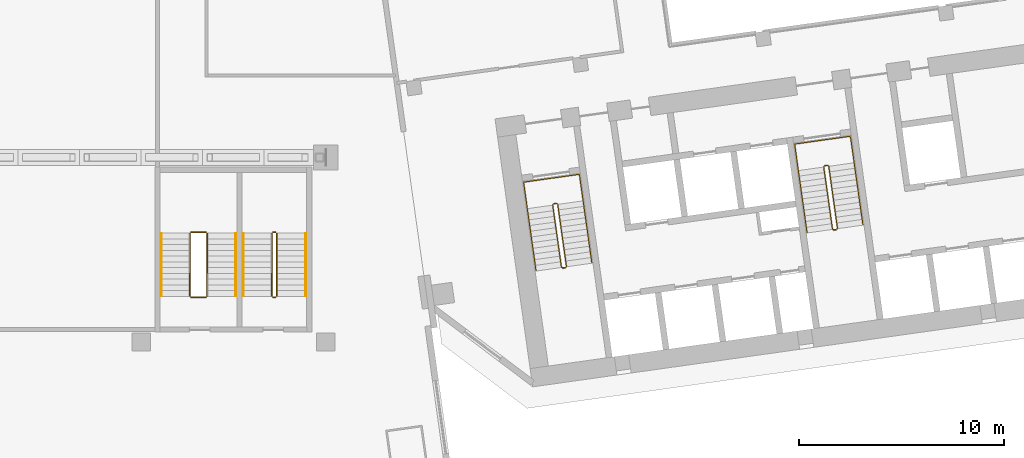
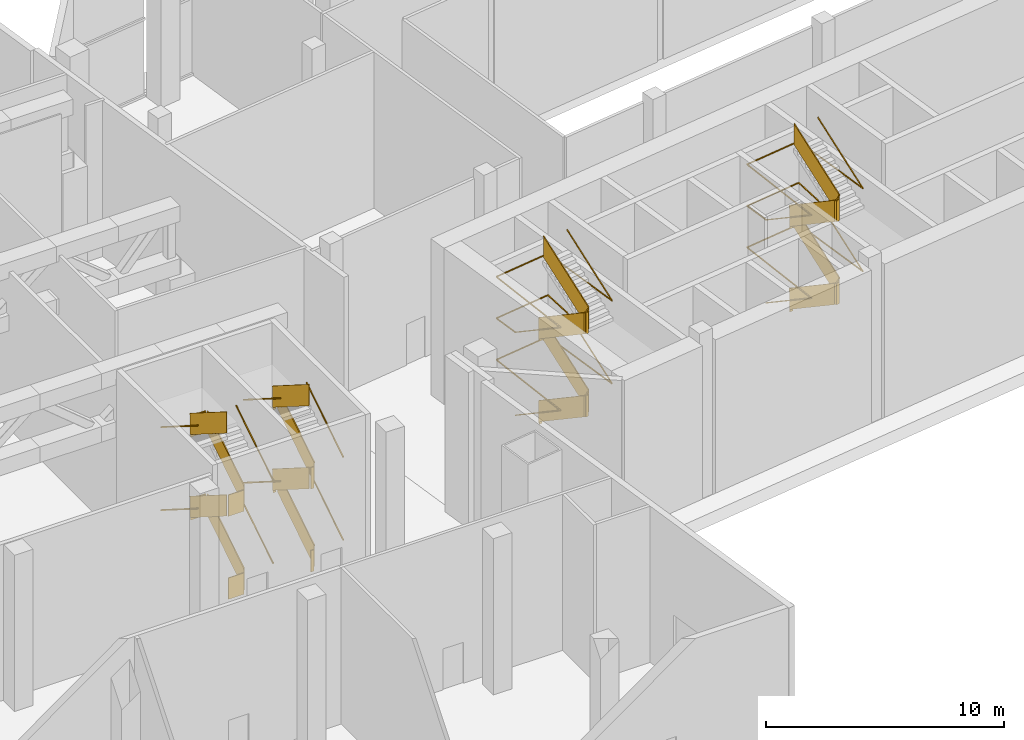
# One storey, part 30 of 31: 28 railings.
"""IFC4 building model written with IfcOpenShell, lengths in metres."""

from ifc_helpers import new_model, si_unit, direction, frame, origin, origin_2d, place, context, subcontext, project, spatial, rectangle, extrude, material, type_object, element, save


model = new_model("IFC4")

# Units and contexts
model_context = context("Model", 3, precision=1e-05, world=origin(), true_north=direction((0.0, 1.0)))
body_context = subcontext(model_context, "Body", "Model", "MODEL_VIEW")
ifc_project = project(units=[si_unit("LENGTHUNIT", "METRE"), si_unit("AREAUNIT", "SQUARE_METRE"), si_unit("VOLUMEUNIT", "CUBIC_METRE"), si_unit("PLANEANGLEUNIT", "RADIAN"), si_unit("MASSUNIT", "GRAM", prefix="KILO")], contexts=[model_context])

# Site, building, storey
site_placement = place(None, origin())
site = spatial("IfcSite", under=ifc_project, at=site_placement, CompositionType="ELEMENT")
building_placement = place(site_placement, origin())
building = spatial("IfcBuilding", under=site, at=building_placement, Name="Mirante Cascada Hotel Towers", CompositionType="ELEMENT")
storey_placement = place(building_placement, frame((0.0, 0.0, 9.0)))
storey = spatial("IfcBuildingStorey", under=building, at=storey_placement, Name="L01", CompositionType="ELEMENT", Elevation=9.0)

# Railings
ifc_material_1 = material(Name="Painted steel", Category="steel")
railing_type_1 = type_object("IfcRailingType", Name="Podium stair guard 1100 steel balustrade", PredefinedType="GUARDRAIL", material=ifc_material_1)
railing_1_placement = place(storey_placement, frame((24.625, -15.775, 0.1771)))
element("IfcRailing", 1, at=railing_1_placement, inside=storey, type_object=railing_type_1, Name="L01 PS2 stair guard 1", PredefinedType="GUARDRAIL", context=body_context, shape_type="SweptSolid", body=[
    extrude(rectangle(XDim=0.048, YDim=0.048, at=origin_2d()), frame((0.0, 0.0, 1.076), z_axis=(0.0, 1.0, 0.0), x_axis=(-1.0, 0.0, 0.0)), (0.0, 0.5345101, 0.8451621), 3.6443),
    extrude(rectangle(XDim=0.02, YDim=1.052, at=origin_2d()), frame((0.0, 0.0, 0.526), z_axis=(0.0, 1.0, 0.0), x_axis=(-1.0, 0.0, 0.0)), (0.0, 0.5345101, 0.8451621), 3.6443),
])
railing_2_placement = place(storey_placement, frame((24.575, -12.645, 2.125)))
element("IfcRailing", 2, at=railing_2_placement, inside=storey, type_object=railing_type_1, Name="L01 PS2 stair guard 2", PredefinedType="GUARDRAIL", context=body_context, shape_type="SweptSolid", body=[
    extrude(rectangle(XDim=0.048, YDim=0.048, at=origin_2d()), frame((0.0, 0.0, 1.076), z_axis=(-1.0, 0.0, 0.0), x_axis=(0.0, -1.0, 0.0)), (0.0, 0.0, 1.0), 0.15),
    extrude(rectangle(XDim=0.02, YDim=1.052, at=origin_2d()), frame((0.0, 0.0, 0.526), z_axis=(-1.0, 0.0, 0.0), x_axis=(0.0, -1.0, 0.0)), (0.0, 0.0, 1.0), 0.15),
])
railing_3_placement = place(storey_placement, frame((24.375, -12.695, 2.3021)))
element("IfcRailing", 3, at=railing_3_placement, inside=storey, type_object=railing_type_1, Name="L01 PS2 stair guard 3", PredefinedType="GUARDRAIL", context=body_context, shape_type="SweptSolid", body=[
    extrude(rectangle(XDim=0.048, YDim=0.048, at=origin_2d()), frame((0.0, 0.0, 1.076), z_axis=(0.0, -1.0, 0.0), x_axis=(1.0, 0.0, 0.0)), (0.0, 0.5345101, 0.8451621), 3.6443),
    extrude(rectangle(XDim=0.02, YDim=1.052, at=origin_2d()), frame((0.0, 0.0, 0.526), z_axis=(0.0, -1.0, 0.0), x_axis=(1.0, 0.0, 0.0)), (0.0, 0.5345101, 0.8451621), 3.6443),
])
railing_4_placement = place(storey_placement, frame((24.575, -15.825, 4.25)))
element("IfcRailing", 4, at=railing_4_placement, inside=storey, type_object=railing_type_1, Name="L01 PS2 stair guard 4", PredefinedType="GUARDRAIL", context=body_context, shape_type="SweptSolid", body=[
    extrude(rectangle(XDim=0.048, YDim=0.048, at=origin_2d()), frame((0.0, 0.0, 1.076), z_axis=(-1.0, 0.0, 0.0), x_axis=(0.0, -1.0, 0.0)), (0.0, 0.0, 1.0), 0.15),
    extrude(rectangle(XDim=0.02, YDim=1.052, at=origin_2d()), frame((0.0, 0.0, 0.526), z_axis=(-1.0, 0.0, 0.0), x_axis=(0.0, -1.0, 0.0)), (0.0, 0.0, 1.0), 0.15),
])
railing_5_placement = place(storey_placement, frame((24.625, -15.775, 4.4271)))
element("IfcRailing", 5, at=railing_5_placement, inside=storey, type_object=railing_type_1, Name="L01 PS2 stair guard 5", PredefinedType="GUARDRAIL", context=body_context, shape_type="SweptSolid", body=[
    extrude(rectangle(XDim=0.048, YDim=0.048, at=origin_2d()), frame((0.0, 0.0, 1.076), z_axis=(0.0, 1.0, 0.0), x_axis=(-1.0, 0.0, 0.0)), (0.0, 0.5345101, 0.8451621), 3.6443),
    extrude(rectangle(XDim=0.02, YDim=1.052, at=origin_2d()), frame((0.0, 0.0, 0.526), z_axis=(0.0, 1.0, 0.0), x_axis=(-1.0, 0.0, 0.0)), (0.0, 0.5345101, 0.8451621), 3.6443),
])
railing_6_placement = place(storey_placement, frame((24.575, -12.645, 6.375)))
element("IfcRailing", 6, at=railing_6_placement, inside=storey, type_object=railing_type_1, Name="L01 PS2 stair guard 6", PredefinedType="GUARDRAIL", context=body_context, shape_type="SweptSolid", body=[
    extrude(rectangle(XDim=0.048, YDim=0.048, at=origin_2d()), frame((0.0, 0.0, 1.076), z_axis=(-1.0, 0.0, 0.0), x_axis=(0.0, -1.0, 0.0)), (0.0, 0.0, 1.0), 0.15),
    extrude(rectangle(XDim=0.02, YDim=1.052, at=origin_2d()), frame((0.0, 0.0, 0.526), z_axis=(-1.0, 0.0, 0.0), x_axis=(0.0, -1.0, 0.0)), (0.0, 0.0, 1.0), 0.15),
])
railing_7_placement = place(storey_placement, frame((24.375, -12.695, 6.5521)))
element("IfcRailing", 7, at=railing_7_placement, inside=storey, type_object=railing_type_1, Name="L01 PS2 stair guard 7", PredefinedType="GUARDRAIL", context=body_context, shape_type="SweptSolid", body=[
    extrude(rectangle(XDim=0.048, YDim=0.048, at=origin_2d()), frame((0.0, 0.0, 1.076), z_axis=(0.0, -1.0, 0.0), x_axis=(1.0, 0.0, 0.0)), (0.0, 0.5345101, 0.8451621), 3.6443),
    extrude(rectangle(XDim=0.02, YDim=1.052, at=origin_2d()), frame((0.0, 0.0, 0.526), z_axis=(0.0, -1.0, 0.0), x_axis=(1.0, 0.0, 0.0)), (0.0, 0.5345101, 0.8451621), 3.6443),
])
railing_8_placement = place(storey_placement, frame((24.575, -15.825, 0.0)))
element("IfcRailing", 8, at=railing_8_placement, inside=storey, type_object=railing_type_1, Name="L01 PS2 stair guard 8", PredefinedType="GUARDRAIL", context=body_context, shape_type="SweptSolid", body=[
    extrude(rectangle(XDim=0.048, YDim=0.048, at=origin_2d()), frame((0.0, 0.0, 1.076), z_axis=(-1.0, 0.0, 0.0), x_axis=(0.0, -1.0, 0.0)), (0.0, 0.0, 1.0), 0.15),
    extrude(rectangle(XDim=0.02, YDim=1.052, at=origin_2d()), frame((0.0, 0.0, 0.526), z_axis=(-1.0, 0.0, 0.0), x_axis=(0.0, -1.0, 0.0)), (0.0, 0.0, 1.0), 0.15),
])
railing_9_placement = place(storey_placement, frame((21.225, -15.775, 0.1771)))
element("IfcRailing", 9, at=railing_9_placement, inside=storey, type_object=railing_type_1, Name="L01 PS4 stair guard 1", PredefinedType="GUARDRAIL", context=body_context, shape_type="SweptSolid", body=[
    extrude(rectangle(XDim=0.048, YDim=0.048, at=origin_2d()), frame((0.0, 0.0, 1.076), z_axis=(0.0, 1.0, 0.0), x_axis=(-1.0, 0.0, 0.0)), (0.0, 0.5345101, 0.8451621), 3.6443),
    extrude(rectangle(XDim=0.02, YDim=1.052, at=origin_2d()), frame((0.0, 0.0, 0.526), z_axis=(0.0, 1.0, 0.0), x_axis=(-1.0, 0.0, 0.0)), (0.0, 0.5345101, 0.8451621), 3.6443),
])
railing_10_placement = place(storey_placement, frame((21.175, -12.645, 2.125)))
element("IfcRailing", 10, at=railing_10_placement, inside=storey, type_object=railing_type_1, Name="L01 PS4 stair guard 2", PredefinedType="GUARDRAIL", context=body_context, shape_type="SweptSolid", body=[
    extrude(rectangle(XDim=0.048, YDim=0.048, at=origin_2d()), frame((0.0, 0.0, 1.076), z_axis=(-1.0, 0.0, 0.0), x_axis=(0.0, -1.0, 0.0)), (0.0, 0.0, 1.0), 0.75),
    extrude(rectangle(XDim=0.02, YDim=1.052, at=origin_2d()), frame((0.0, 0.0, 0.526), z_axis=(-1.0, 0.0, 0.0), x_axis=(0.0, -1.0, 0.0)), (0.0, 0.0, 1.0), 0.75),
])
railing_11_placement = place(storey_placement, frame((20.375, -12.695, 2.3021)))
element("IfcRailing", 11, at=railing_11_placement, inside=storey, type_object=railing_type_1, Name="L01 PS4 stair guard 3", PredefinedType="GUARDRAIL", context=body_context, shape_type="SweptSolid", body=[
    extrude(rectangle(XDim=0.048, YDim=0.048, at=origin_2d()), frame((0.0, 0.0, 1.076), z_axis=(0.0, -1.0, 0.0), x_axis=(1.0, 0.0, 0.0)), (0.0, 0.5345101, 0.8451621), 3.6443),
    extrude(rectangle(XDim=0.02, YDim=1.052, at=origin_2d()), frame((0.0, 0.0, 0.526), z_axis=(0.0, -1.0, 0.0), x_axis=(1.0, 0.0, 0.0)), (0.0, 0.5345101, 0.8451621), 3.6443),
])
railing_12_placement = place(storey_placement, frame((21.175, -15.825, 4.25)))
element("IfcRailing", 12, at=railing_12_placement, inside=storey, type_object=railing_type_1, Name="L01 PS4 stair guard 4", PredefinedType="GUARDRAIL", context=body_context, shape_type="SweptSolid", body=[
    extrude(rectangle(XDim=0.048, YDim=0.048, at=origin_2d()), frame((0.0, 0.0, 1.076), z_axis=(-1.0, 0.0, 0.0), x_axis=(0.0, -1.0, 0.0)), (0.0, 0.0, 1.0), 0.75),
    extrude(rectangle(XDim=0.02, YDim=1.052, at=origin_2d()), frame((0.0, 0.0, 0.526), z_axis=(-1.0, 0.0, 0.0), x_axis=(0.0, -1.0, 0.0)), (0.0, 0.0, 1.0), 0.75),
])
railing_13_placement = place(storey_placement, frame((21.225, -15.775, 4.4271)))
element("IfcRailing", 13, at=railing_13_placement, inside=storey, type_object=railing_type_1, Name="L01 PS4 stair guard 5", PredefinedType="GUARDRAIL", context=body_context, shape_type="SweptSolid", body=[
    extrude(rectangle(XDim=0.048, YDim=0.048, at=origin_2d()), frame((0.0, 0.0, 1.076), z_axis=(0.0, 1.0, 0.0), x_axis=(-1.0, 0.0, 0.0)), (0.0, 0.5345101, 0.8451621), 3.6443),
    extrude(rectangle(XDim=0.02, YDim=1.052, at=origin_2d()), frame((0.0, 0.0, 0.526), z_axis=(0.0, 1.0, 0.0), x_axis=(-1.0, 0.0, 0.0)), (0.0, 0.5345101, 0.8451621), 3.6443),
])
railing_14_placement = place(storey_placement, frame((21.175, -12.645, 6.375)))
element("IfcRailing", 14, at=railing_14_placement, inside=storey, type_object=railing_type_1, Name="L01 PS4 stair guard 6", PredefinedType="GUARDRAIL", context=body_context, shape_type="SweptSolid", body=[
    extrude(rectangle(XDim=0.048, YDim=0.048, at=origin_2d()), frame((0.0, 0.0, 1.076), z_axis=(-1.0, 0.0, 0.0), x_axis=(0.0, -1.0, 0.0)), (0.0, 0.0, 1.0), 0.75),
    extrude(rectangle(XDim=0.02, YDim=1.052, at=origin_2d()), frame((0.0, 0.0, 0.526), z_axis=(-1.0, 0.0, 0.0), x_axis=(0.0, -1.0, 0.0)), (0.0, 0.0, 1.0), 0.75),
])
railing_15_placement = place(storey_placement, frame((20.375, -12.695, 6.5521)))
element("IfcRailing", 15, at=railing_15_placement, inside=storey, type_object=railing_type_1, Name="L01 PS4 stair guard 7", PredefinedType="GUARDRAIL", context=body_context, shape_type="SweptSolid", body=[
    extrude(rectangle(XDim=0.048, YDim=0.048, at=origin_2d()), frame((0.0, 0.0, 1.076), z_axis=(0.0, -1.0, 0.0), x_axis=(1.0, 0.0, 0.0)), (0.0, 0.5345101, 0.8451621), 3.6443),
    extrude(rectangle(XDim=0.02, YDim=1.052, at=origin_2d()), frame((0.0, 0.0, 0.526), z_axis=(0.0, -1.0, 0.0), x_axis=(1.0, 0.0, 0.0)), (0.0, 0.5345101, 0.8451621), 3.6443),
])
railing_16_placement = place(storey_placement, frame((21.175, -15.825, 0.0)))
element("IfcRailing", 16, at=railing_16_placement, inside=storey, type_object=railing_type_1, Name="L01 PS4 stair guard 8", PredefinedType="GUARDRAIL", context=body_context, shape_type="SweptSolid", body=[
    extrude(rectangle(XDim=0.048, YDim=0.048, at=origin_2d()), frame((0.0, 0.0, 1.076), z_axis=(-1.0, 0.0, 0.0), x_axis=(0.0, -1.0, 0.0)), (0.0, 0.0, 1.0), 0.75),
    extrude(rectangle(XDim=0.02, YDim=1.052, at=origin_2d()), frame((0.0, 0.0, 0.526), z_axis=(-1.0, 0.0, 0.0), x_axis=(0.0, -1.0, 0.0)), (0.0, 0.0, 1.0), 0.75),
])
ifc_material_2 = material(Name="Painted steel", Category="steel")
railing_type_2 = type_object("IfcRailingType", Name="Podium stair handrail 900 steel tube", PredefinedType="HANDRAIL", material=ifc_material_2)
railing_17_placement = place(storey_placement, frame((26.025, -15.775, 0.1771)))
element("IfcRailing", 17, at=railing_17_placement, inside=storey, type_object=railing_type_2, Name="L01 PS2 stair handrail 1", PredefinedType="HANDRAIL", context=body_context, shape_type="SweptSolid", body=[
    extrude(rectangle(XDim=0.048, YDim=0.048, at=origin_2d()), frame((0.0, 0.0, 0.876), z_axis=(0.0, 1.0, 0.0), x_axis=(-1.0, 0.0, 0.0)), (0.0, 0.5345101, 0.8451621), 3.6443),
])
railing_18_placement = place(storey_placement, frame((22.975, -12.695, 2.3021)))
element("IfcRailing", 18, at=railing_18_placement, inside=storey, type_object=railing_type_2, Name="L01 PS2 stair handrail 2", PredefinedType="HANDRAIL", context=body_context, shape_type="SweptSolid", body=[
    extrude(rectangle(XDim=0.048, YDim=0.048, at=origin_2d()), frame((0.0, 0.0, 0.876), z_axis=(0.0, -1.0, 0.0), x_axis=(1.0, 0.0, 0.0)), (0.0, 0.5345101, 0.8451621), 3.6443),
])
railing_19_placement = place(storey_placement, frame((26.025, -15.775, 4.4271)))
element("IfcRailing", 19, at=railing_19_placement, inside=storey, type_object=railing_type_2, Name="L01 PS2 stair handrail 3", PredefinedType="HANDRAIL", context=body_context, shape_type="SweptSolid", body=[
    extrude(rectangle(XDim=0.048, YDim=0.048, at=origin_2d()), frame((0.0, 0.0, 0.876), z_axis=(0.0, 1.0, 0.0), x_axis=(-1.0, 0.0, 0.0)), (0.0, 0.5345101, 0.8451621), 3.6443),
])
railing_20_placement = place(storey_placement, frame((22.975, -12.695, 6.5521)))
element("IfcRailing", 20, at=railing_20_placement, inside=storey, type_object=railing_type_2, Name="L01 PS2 stair handrail 4", PredefinedType="HANDRAIL", context=body_context, shape_type="SweptSolid", body=[
    extrude(rectangle(XDim=0.048, YDim=0.048, at=origin_2d()), frame((0.0, 0.0, 0.876), z_axis=(0.0, -1.0, 0.0), x_axis=(1.0, 0.0, 0.0)), (0.0, 0.5345101, 0.8451621), 3.6443),
])
railing_21_placement = place(storey_placement, frame((22.625, -15.775, 0.1771)))
element("IfcRailing", 21, at=railing_21_placement, inside=storey, type_object=railing_type_2, Name="L01 PS4 stair handrail 1", PredefinedType="HANDRAIL", context=body_context, shape_type="SweptSolid", body=[
    extrude(rectangle(XDim=0.048, YDim=0.048, at=origin_2d()), frame((0.0, 0.0, 0.876), z_axis=(0.0, 1.0, 0.0), x_axis=(-1.0, 0.0, 0.0)), (0.0, 0.5345101, 0.8451621), 3.6443),
])
railing_22_placement = place(storey_placement, frame((18.975, -12.695, 2.3021)))
element("IfcRailing", 22, at=railing_22_placement, inside=storey, type_object=railing_type_2, Name="L01 PS4 stair handrail 2", PredefinedType="HANDRAIL", context=body_context, shape_type="SweptSolid", body=[
    extrude(rectangle(XDim=0.048, YDim=0.048, at=origin_2d()), frame((0.0, 0.0, 0.876), z_axis=(0.0, -1.0, 0.0), x_axis=(1.0, 0.0, 0.0)), (0.0, 0.5345101, 0.8451621), 3.6443),
])
railing_23_placement = place(storey_placement, frame((22.625, -15.775, 4.4271)))
element("IfcRailing", 23, at=railing_23_placement, inside=storey, type_object=railing_type_2, Name="L01 PS4 stair handrail 3", PredefinedType="HANDRAIL", context=body_context, shape_type="SweptSolid", body=[
    extrude(rectangle(XDim=0.048, YDim=0.048, at=origin_2d()), frame((0.0, 0.0, 0.876), z_axis=(0.0, 1.0, 0.0), x_axis=(-1.0, 0.0, 0.0)), (0.0, 0.5345101, 0.8451621), 3.6443),
])
railing_24_placement = place(storey_placement, frame((18.975, -12.695, 6.5521)))
element("IfcRailing", 24, at=railing_24_placement, inside=storey, type_object=railing_type_2, Name="L01 PS4 stair handrail 4", PredefinedType="HANDRAIL", context=body_context, shape_type="SweptSolid", body=[
    extrude(rectangle(XDim=0.048, YDim=0.048, at=origin_2d()), frame((0.0, 0.0, 0.876), z_axis=(0.0, -1.0, 0.0), x_axis=(1.0, 0.0, 0.0)), (0.0, 0.5345101, 0.8451621), 3.6443),
])
ifc_material_3 = material(Name="Painted steel", Category="steel")
railing_type_3 = type_object("IfcRailingType", Name="Stair guard 1100 steel balustrade", PredefinedType="GUARDRAIL", material=ifc_material_3)
railing_25_placement = place(storey_placement, frame((38.2663, -11.2395, 0.0)))
element("IfcRailing", 25, at=railing_25_placement, inside=storey, type_object=railing_type_3, Name="L01 ST2-A stair guard 1", PredefinedType="GUARDRAIL", context=body_context, shape_type="SweptSolid", body=[
    extrude(rectangle(XDim=0.048, YDim=0.048, at=origin_2d()), frame((0.0, 0.0, 1.076), z_axis=(-0.9903326, -0.1387133, 0.0), x_axis=(0.1387133, -0.9903326, 0.0)), (0.0, 0.0, 1.0), 0.1499),
    extrude(rectangle(XDim=0.02, YDim=1.052, at=origin_2d()), frame((0.0, 0.0, 0.526), z_axis=(-0.9903326, -0.1387133, 0.0), x_axis=(0.1387133, -0.9903326, 0.0)), (0.0, 0.0, 1.0), 0.1499),
    extrude(rectangle(XDim=0.048, YDim=0.048, at=origin_2d()), frame((-0.1485, -0.0208, 1.076), z_axis=(-0.6020331, -0.7984711, 0.0), x_axis=(0.7984711, -0.6020331, 0.0)), (0.0, 0.9286209, 0.3710301), 0.1907),
    extrude(rectangle(XDim=0.02, YDim=1.052, at=origin_2d()), frame((-0.1485, -0.0208, 0.526), z_axis=(-0.6020331, -0.7984711, 0.0), x_axis=(0.7984711, -0.6020331, 0.0)), (0.0, 0.9286209, 0.3710301), 0.1907),
    extrude(rectangle(XDim=0.048, YDim=0.048, at=origin_2d()), frame((-0.1911, -0.0773, 1.2531), z_axis=(0.1391892, -0.9902658, 0.0), x_axis=(0.9902658, 0.1391892, 0.0)), (0.0, 0.5345125, 0.8451606), 3.6443),
    extrude(rectangle(XDim=0.02, YDim=1.052, at=origin_2d()), frame((-0.1911, -0.0773, 0.7031), z_axis=(0.1391892, -0.9902658, 0.0), x_axis=(0.9902658, 0.1391892, 0.0)), (0.0, 0.5345125, 0.8451606), 3.6443),
    extrude(rectangle(XDim=0.048, YDim=0.048, at=origin_2d()), frame((0.2376, -3.1273, 3.201), z_axis=(0.9944441, -0.1052656, 0.0), x_axis=(0.1052656, 0.9944441, 0.0)), (0.0, 0.0, 1.0), 0.2061),
    extrude(rectangle(XDim=0.02, YDim=1.052, at=origin_2d()), frame((0.2376, -3.1273, 2.651), z_axis=(0.9944441, -0.1052656, 0.0), x_axis=(0.1052656, 0.9944441, 0.0)), (0.0, 0.0, 1.0), 0.2061),
    extrude(rectangle(XDim=0.048, YDim=0.048, at=origin_2d()), frame((0.4426, -3.149, 3.201), z_axis=(-0.9902408, -0.1393672, 0.0), x_axis=(0.1393672, -0.9902408, 0.0)), (0.0, 0.0, 1.0), 0.15),
    extrude(rectangle(XDim=0.02, YDim=1.052, at=origin_2d()), frame((0.4426, -3.149, 2.651), z_axis=(-0.9902408, -0.1393672, 0.0), x_axis=(0.1393672, -0.9902408, 0.0)), (0.0, 0.0, 1.0), 0.15),
    extrude(rectangle(XDim=0.048, YDim=0.048, at=origin_2d()), frame((0.2941, -3.1699, 3.201), z_axis=(0.9268624, 0.3754011, 0.0), x_axis=(-0.3754011, 0.9268624, 0.0)), (0.0, 0.6515858, 0.7585749), 0.2718),
    extrude(rectangle(XDim=0.02, YDim=1.052, at=origin_2d()), frame((0.2941, -3.1699, 2.651), z_axis=(0.9268624, 0.3754011, 0.0), x_axis=(-0.3754011, 0.9268624, 0.0)), (0.0, 0.6515858, 0.7585749), 0.2718),
    extrude(rectangle(XDim=0.048, YDim=0.048, at=origin_2d()), frame((0.4852, -3.0925, 3.3781), z_axis=(-0.1391892, 0.9902658, 0.0), x_axis=(-0.9902658, -0.1391892, 0.0)), (0.0, 0.5345125, 0.8451606), 3.6443),
    extrude(rectangle(XDim=0.02, YDim=1.052, at=origin_2d()), frame((0.4852, -3.0925, 2.8281), z_axis=(-0.1391892, 0.9902658, 0.0), x_axis=(-0.9902658, -0.1391892, 0.0)), (0.0, 0.5345125, 0.8451606), 3.6443),
    extrude(rectangle(XDim=0.048, YDim=0.048, at=origin_2d()), frame((0.0565, -0.0425, 5.326), z_axis=(-0.7991505, 0.6011309, 0.0), x_axis=(-0.6011309, -0.7991505, 0.0)), (0.0, 0.0, 1.0), 0.0707),
    extrude(rectangle(XDim=0.02, YDim=1.052, at=origin_2d()), frame((0.0565, -0.0425, 4.776), z_axis=(-0.7991505, 0.6011309, 0.0), x_axis=(-0.6011309, -0.7991505, 0.0)), (0.0, 0.0, 1.0), 0.0707),
    extrude(rectangle(XDim=0.048, YDim=0.048, at=origin_2d()), frame((0.0, 0.0, 5.326), z_axis=(-0.9903326, -0.1387133, 0.0), x_axis=(0.1387133, -0.9903326, 0.0)), (0.0, 0.0, 1.0), 0.1499),
    extrude(rectangle(XDim=0.02, YDim=1.052, at=origin_2d()), frame((0.0, 0.0, 4.776), z_axis=(-0.9903326, -0.1387133, 0.0), x_axis=(0.1387133, -0.9903326, 0.0)), (0.0, 0.0, 1.0), 0.1499),
    extrude(rectangle(XDim=0.048, YDim=0.048, at=origin_2d()), frame((-0.1485, -0.0208, 5.326), z_axis=(-0.6020331, -0.7984711, 0.0), x_axis=(0.7984711, -0.6020331, 0.0)), (0.0, 0.9286209, 0.3710301), 0.1907),
    extrude(rectangle(XDim=0.02, YDim=1.052, at=origin_2d()), frame((-0.1485, -0.0208, 4.776), z_axis=(-0.6020331, -0.7984711, 0.0), x_axis=(0.7984711, -0.6020331, 0.0)), (0.0, 0.9286209, 0.3710301), 0.1907),
    extrude(rectangle(XDim=0.048, YDim=0.048, at=origin_2d()), frame((-0.1911, -0.0773, 5.5031), z_axis=(0.1391892, -0.9902658, 0.0), x_axis=(0.9902658, 0.1391892, 0.0)), (0.0, 0.5345125, 0.8451606), 3.6443),
    extrude(rectangle(XDim=0.02, YDim=1.052, at=origin_2d()), frame((-0.1911, -0.0773, 4.9531), z_axis=(0.1391892, -0.9902658, 0.0), x_axis=(0.9902658, 0.1391892, 0.0)), (0.0, 0.5345125, 0.8451606), 3.6443),
    extrude(rectangle(XDim=0.048, YDim=0.048, at=origin_2d()), frame((0.2376, -3.1273, 7.451), z_axis=(0.9944441, -0.1052656, 0.0), x_axis=(0.1052656, 0.9944441, 0.0)), (0.0, 0.0, 1.0), 0.2061),
    extrude(rectangle(XDim=0.02, YDim=1.052, at=origin_2d()), frame((0.2376, -3.1273, 6.901), z_axis=(0.9944441, -0.1052656, 0.0), x_axis=(0.1052656, 0.9944441, 0.0)), (0.0, 0.0, 1.0), 0.2061),
    extrude(rectangle(XDim=0.048, YDim=0.048, at=origin_2d()), frame((0.4426, -3.149, 7.451), z_axis=(-0.9902408, -0.1393672, 0.0), x_axis=(0.1393672, -0.9902408, 0.0)), (0.0, 0.0, 1.0), 0.15),
    extrude(rectangle(XDim=0.02, YDim=1.052, at=origin_2d()), frame((0.4426, -3.149, 6.901), z_axis=(-0.9902408, -0.1393672, 0.0), x_axis=(0.1393672, -0.9902408, 0.0)), (0.0, 0.0, 1.0), 0.15),
    extrude(rectangle(XDim=0.048, YDim=0.048, at=origin_2d()), frame((0.2941, -3.1699, 7.451), z_axis=(0.9268624, 0.3754011, 0.0), x_axis=(-0.3754011, 0.9268624, 0.0)), (0.0, 0.6515858, 0.7585749), 0.2718),
    extrude(rectangle(XDim=0.02, YDim=1.052, at=origin_2d()), frame((0.2941, -3.1699, 6.901), z_axis=(0.9268624, 0.3754011, 0.0), x_axis=(-0.3754011, 0.9268624, 0.0)), (0.0, 0.6515858, 0.7585749), 0.2718),
    extrude(rectangle(XDim=0.048, YDim=0.048, at=origin_2d()), frame((0.4852, -3.0925, 7.6281), z_axis=(-0.1391892, 0.9902658, 0.0), x_axis=(-0.9902658, -0.1391892, 0.0)), (0.0, 0.5345125, 0.8451606), 3.6443),
    extrude(rectangle(XDim=0.02, YDim=1.052, at=origin_2d()), frame((0.4852, -3.0925, 7.0781), z_axis=(-0.1391892, 0.9902658, 0.0), x_axis=(-0.9902658, -0.1391892, 0.0)), (0.0, 0.5345125, 0.8451606), 3.6443),
])
railing_26_placement = place(storey_placement, frame((51.4864, -9.3815, 0.0)))
element("IfcRailing", 26, at=railing_26_placement, inside=storey, type_object=railing_type_3, Name="L01 ST2-B stair guard 1", PredefinedType="GUARDRAIL", context=body_context, shape_type="SweptSolid", body=[
    extrude(rectangle(XDim=0.048, YDim=0.048, at=origin_2d()), frame((0.0, 0.0, 1.076), z_axis=(-0.9902408, -0.1393672, 0.0), x_axis=(0.1393672, -0.9902408, 0.0)), (0.0, 0.0, 1.0), 0.15),
    extrude(rectangle(XDim=0.02, YDim=1.052, at=origin_2d()), frame((0.0, 0.0, 0.526), z_axis=(-0.9902408, -0.1393672, 0.0), x_axis=(0.1393672, -0.9902408, 0.0)), (0.0, 0.0, 1.0), 0.15),
    extrude(rectangle(XDim=0.048, YDim=0.048, at=origin_2d()), frame((-0.1485, -0.0209, 1.076), z_axis=(-0.6020331, -0.7984711, 0.0), x_axis=(0.7984711, -0.6020331, 0.0)), (0.0, 0.9286209, 0.3710301), 0.1907),
    extrude(rectangle(XDim=0.02, YDim=1.052, at=origin_2d()), frame((-0.1485, -0.0209, 0.526), z_axis=(-0.6020331, -0.7984711, 0.0), x_axis=(0.7984711, -0.6020331, 0.0)), (0.0, 0.9286209, 0.3710301), 0.1907),
    extrude(rectangle(XDim=0.048, YDim=0.048, at=origin_2d()), frame((-0.1911, -0.0774, 1.2531), z_axis=(0.1391892, -0.9902658, 0.0), x_axis=(0.9902658, 0.1391892, 0.0)), (0.0, 0.5345125, 0.8451606), 3.6443),
    extrude(rectangle(XDim=0.02, YDim=1.052, at=origin_2d()), frame((-0.1911, -0.0774, 0.7031), z_axis=(0.1391892, -0.9902658, 0.0), x_axis=(0.9902658, 0.1391892, 0.0)), (0.0, 0.5345125, 0.8451606), 3.6443),
    extrude(rectangle(XDim=0.048, YDim=0.048, at=origin_2d()), frame((0.2376, -3.1274, 3.201), z_axis=(0.9944441, -0.1052656, 0.0), x_axis=(0.1052656, 0.9944441, 0.0)), (0.0, 0.0, 1.0), 0.2061),
    extrude(rectangle(XDim=0.02, YDim=1.052, at=origin_2d()), frame((0.2376, -3.1274, 2.651), z_axis=(0.9944441, -0.1052656, 0.0), x_axis=(0.1052656, 0.9944441, 0.0)), (0.0, 0.0, 1.0), 0.2061),
    extrude(rectangle(XDim=0.048, YDim=0.048, at=origin_2d()), frame((0.4426, -3.1491, 3.201), z_axis=(-0.9903454, -0.1386217, 0.0), x_axis=(0.1386217, -0.9903454, 0.0)), (0.0, 0.0, 1.0), 0.15),
    extrude(rectangle(XDim=0.02, YDim=1.052, at=origin_2d()), frame((0.4426, -3.1491, 2.651), z_axis=(-0.9903454, -0.1386217, 0.0), x_axis=(0.1386217, -0.9903454, 0.0)), (0.0, 0.0, 1.0), 0.15),
    extrude(rectangle(XDim=0.048, YDim=0.048, at=origin_2d()), frame((0.294, -3.1699, 3.201), z_axis=(0.9270311, 0.3749843, 0.0), x_axis=(-0.3749843, 0.9270311, 0.0)), (0.0, 0.6516541, 0.7585163), 0.2718),
    extrude(rectangle(XDim=0.02, YDim=1.052, at=origin_2d()), frame((0.294, -3.1699, 2.651), z_axis=(0.9270311, 0.3749843, 0.0), x_axis=(-0.3749843, 0.9270311, 0.0)), (0.0, 0.6516541, 0.7585163), 0.2718),
    extrude(rectangle(XDim=0.048, YDim=0.048, at=origin_2d()), frame((0.4851, -3.0926, 3.3781), z_axis=(-0.1391573, 0.9902703, 0.0), x_axis=(-0.9902703, -0.1391573, 0.0)), (0.0, 0.5345142, 0.8451595), 3.6442),
    extrude(rectangle(XDim=0.02, YDim=1.052, at=origin_2d()), frame((0.4851, -3.0926, 2.8281), z_axis=(-0.1391573, 0.9902703, 0.0), x_axis=(-0.9902703, -0.1391573, 0.0)), (0.0, 0.5345142, 0.8451595), 3.6442),
    extrude(rectangle(XDim=0.048, YDim=0.048, at=origin_2d()), frame((0.0565, -0.0426, 5.326), z_axis=(-0.7984711, 0.6020331, 0.0), x_axis=(-0.6020331, -0.7984711, 0.0)), (0.0, 0.0, 1.0), 0.0708),
    extrude(rectangle(XDim=0.02, YDim=1.052, at=origin_2d()), frame((0.0565, -0.0426, 4.776), z_axis=(-0.7984711, 0.6020331, 0.0), x_axis=(-0.6020331, -0.7984711, 0.0)), (0.0, 0.0, 1.0), 0.0708),
    extrude(rectangle(XDim=0.048, YDim=0.048, at=origin_2d()), frame((0.0, 0.0, 5.326), z_axis=(-0.9902408, -0.1393672, 0.0), x_axis=(0.1393672, -0.9902408, 0.0)), (0.0, 0.0, 1.0), 0.15),
    extrude(rectangle(XDim=0.02, YDim=1.052, at=origin_2d()), frame((0.0, 0.0, 4.776), z_axis=(-0.9902408, -0.1393672, 0.0), x_axis=(0.1393672, -0.9902408, 0.0)), (0.0, 0.0, 1.0), 0.15),
    extrude(rectangle(XDim=0.048, YDim=0.048, at=origin_2d()), frame((-0.1485, -0.0209, 5.326), z_axis=(-0.6020331, -0.7984711, 0.0), x_axis=(0.7984711, -0.6020331, 0.0)), (0.0, 0.9286209, 0.3710301), 0.1907),
    extrude(rectangle(XDim=0.02, YDim=1.052, at=origin_2d()), frame((-0.1485, -0.0209, 4.776), z_axis=(-0.6020331, -0.7984711, 0.0), x_axis=(0.7984711, -0.6020331, 0.0)), (0.0, 0.9286209, 0.3710301), 0.1907),
    extrude(rectangle(XDim=0.048, YDim=0.048, at=origin_2d()), frame((-0.1911, -0.0774, 5.5031), z_axis=(0.1391892, -0.9902658, 0.0), x_axis=(0.9902658, 0.1391892, 0.0)), (0.0, 0.5345125, 0.8451606), 3.6443),
    extrude(rectangle(XDim=0.02, YDim=1.052, at=origin_2d()), frame((-0.1911, -0.0774, 4.9531), z_axis=(0.1391892, -0.9902658, 0.0), x_axis=(0.9902658, 0.1391892, 0.0)), (0.0, 0.5345125, 0.8451606), 3.6443),
    extrude(rectangle(XDim=0.048, YDim=0.048, at=origin_2d()), frame((0.2376, -3.1274, 7.451), z_axis=(0.9944441, -0.1052656, 0.0), x_axis=(0.1052656, 0.9944441, 0.0)), (0.0, 0.0, 1.0), 0.2061),
    extrude(rectangle(XDim=0.02, YDim=1.052, at=origin_2d()), frame((0.2376, -3.1274, 6.901), z_axis=(0.9944441, -0.1052656, 0.0), x_axis=(0.1052656, 0.9944441, 0.0)), (0.0, 0.0, 1.0), 0.2061),
    extrude(rectangle(XDim=0.048, YDim=0.048, at=origin_2d()), frame((0.4426, -3.1491, 7.451), z_axis=(-0.9903454, -0.1386217, 0.0), x_axis=(0.1386217, -0.9903454, 0.0)), (0.0, 0.0, 1.0), 0.15),
    extrude(rectangle(XDim=0.02, YDim=1.052, at=origin_2d()), frame((0.4426, -3.1491, 6.901), z_axis=(-0.9903454, -0.1386217, 0.0), x_axis=(0.1386217, -0.9903454, 0.0)), (0.0, 0.0, 1.0), 0.15),
    extrude(rectangle(XDim=0.048, YDim=0.048, at=origin_2d()), frame((0.294, -3.1699, 7.451), z_axis=(0.9270311, 0.3749843, 0.0), x_axis=(-0.3749843, 0.9270311, 0.0)), (0.0, 0.6516541, 0.7585163), 0.2718),
    extrude(rectangle(XDim=0.02, YDim=1.052, at=origin_2d()), frame((0.294, -3.1699, 6.901), z_axis=(0.9270311, 0.3749843, 0.0), x_axis=(-0.3749843, 0.9270311, 0.0)), (0.0, 0.6516541, 0.7585163), 0.2718),
    extrude(rectangle(XDim=0.048, YDim=0.048, at=origin_2d()), frame((0.4851, -3.0926, 7.6281), z_axis=(-0.1391573, 0.9902703, 0.0), x_axis=(-0.9902703, -0.1391573, 0.0)), (0.0, 0.5345142, 0.8451595), 3.6442),
    extrude(rectangle(XDim=0.02, YDim=1.052, at=origin_2d()), frame((0.4851, -3.0926, 7.0781), z_axis=(-0.1391573, 0.9902703, 0.0), x_axis=(-0.9902703, -0.1391573, 0.0)), (0.0, 0.5345142, 0.8451595), 3.6442),
])
ifc_material_4 = material(Name="Painted steel", Category="steel")
railing_type_4 = type_object("IfcRailingType", Name="Stair handrail 900 steel tube", PredefinedType="HANDRAIL", material=ifc_material_4)
railing_27_placement = place(storey_placement, frame((36.8374, -11.4908, 0.1771)))
element("IfcRailing", 27, at=railing_27_placement, inside=storey, type_object=railing_type_4, Name="L01 ST2-A stair handrail 1", PredefinedType="HANDRAIL", context=body_context, shape_type="SweptSolid", body=[
    extrude(rectangle(XDim=0.048, YDim=0.048, at=origin_2d()), frame((0.0, 0.0, 0.876), z_axis=(0.1391892, -0.9902658, 0.0), x_axis=(0.9902658, 0.1391892, 0.0)), (0.0, 0.5345125, 0.8451606), 3.6443),
    extrude(rectangle(XDim=0.048, YDim=0.048, at=origin_2d()), frame((0.4287, -3.05, 2.8239), z_axis=(-0.1391772, 0.9902675, 0.0), x_axis=(-0.9902675, -0.1391772, 0.0)), (0.0, 0.0404005, 0.9991836), 4.3836),
    extrude(rectangle(XDim=0.048, YDim=0.048, at=origin_2d()), frame((-0.1809, 1.2874, 3.001), z_axis=(0.9902691, 0.1391657, 0.0), x_axis=(-0.1391657, 0.9902691, 0.0)), (0.0, 0.0, 1.0), 2.75),
    extrude(rectangle(XDim=0.048, YDim=0.048, at=origin_2d()), frame((2.5423, 1.6701, 3.001), z_axis=(0.1391772, -0.9902675, 0.0), x_axis=(0.9902675, 0.1391772, 0.0)), (0.0, 0.0, 1.0), 4.38),
    extrude(rectangle(XDim=0.048, YDim=0.048, at=origin_2d()), frame((3.1519, -2.6673, 3.001), z_axis=(-0.1391892, 0.9902658, 0.0), x_axis=(-0.9902658, -0.1391892, 0.0)), (0.0, 0.5345125, 0.8451606), 3.6443),
    extrude(rectangle(XDim=0.048, YDim=0.048, at=origin_2d()), frame((2.7233, 0.3817, 4.9488), z_axis=(-0.1391488, 0.9902715, 0.0), x_axis=(-0.9902715, -0.1391488, 0.0)), (0.0, 0.1349791, 0.9908484), 1.3131),
    extrude(rectangle(XDim=0.048, YDim=0.048, at=origin_2d()), frame((2.5423, 1.6701, 5.126), z_axis=(-0.9902691, -0.1391657, 0.0), x_axis=(0.1391657, -0.9902691, 0.0)), (0.0, 0.0, 1.0), 2.75),
    extrude(rectangle(XDim=0.048, YDim=0.048, at=origin_2d()), frame((-0.1809, 1.2874, 5.126), z_axis=(0.1391488, -0.9902715, 0.0), x_axis=(0.9902715, 0.1391488, 0.0)), (0.0, 0.0, 1.0), 1.3),
    extrude(rectangle(XDim=0.048, YDim=0.048, at=origin_2d()), frame((-0.0001, 0.0008, 5.1255), z_axis=(0.1391892, -0.9902658, 0.0), x_axis=(0.9902658, 0.1391892, 0.0)), (0.0, 0.5345125, 0.8451606), 3.6453),
    extrude(rectangle(XDim=0.048, YDim=0.048, at=origin_2d()), frame((0.4287, -3.05, 7.0739), z_axis=(-0.1391772, 0.9902675, 0.0), x_axis=(-0.9902675, -0.1391772, 0.0)), (0.0, 0.0404005, 0.9991836), 4.3836),
    extrude(rectangle(XDim=0.048, YDim=0.048, at=origin_2d()), frame((-0.1809, 1.2874, 7.251), z_axis=(0.9902691, 0.1391657, 0.0), x_axis=(-0.1391657, 0.9902691, 0.0)), (0.0, 0.0, 1.0), 2.75),
    extrude(rectangle(XDim=0.048, YDim=0.048, at=origin_2d()), frame((2.5423, 1.6701, 7.251), z_axis=(0.1391772, -0.9902675, 0.0), x_axis=(0.9902675, 0.1391772, 0.0)), (0.0, 0.0, 1.0), 4.38),
    extrude(rectangle(XDim=0.048, YDim=0.048, at=origin_2d()), frame((3.1519, -2.6673, 7.251), z_axis=(-0.1391892, 0.9902658, 0.0), x_axis=(-0.9902658, -0.1391892, 0.0)), (0.0, 0.5345125, 0.8451606), 3.6443),
])
railing_28_placement = place(storey_placement, frame((50.0575, -9.6328, 0.1771)))
element("IfcRailing", 28, at=railing_28_placement, inside=storey, type_object=railing_type_4, Name="L01 ST2-B stair handrail 1", PredefinedType="HANDRAIL", context=body_context, shape_type="SweptSolid", body=[
    extrude(rectangle(XDim=0.048, YDim=0.048, at=origin_2d()), frame((0.0, 0.0, 0.876), z_axis=(0.1391573, -0.9902703, 0.0), x_axis=(0.9902703, 0.1391573, 0.0)), (0.0, 0.5345142, 0.8451595), 3.6442),
    extrude(rectangle(XDim=0.048, YDim=0.048, at=origin_2d()), frame((0.4286, -3.05, 2.8239), z_axis=(-0.1391579, 0.9902702, 0.0), x_axis=(-0.9902702, -0.1391579, 0.0)), (0.0, 0.0404016, 0.9991835), 4.3835),
    extrude(rectangle(XDim=0.048, YDim=0.048, at=origin_2d()), frame((-0.1809, 1.2873, 3.001), z_axis=(0.9902641, 0.1392013, 0.0), x_axis=(-0.1392013, 0.9902641, 0.0)), (0.0, 0.0, 1.0), 2.75),
    extrude(rectangle(XDim=0.048, YDim=0.048, at=origin_2d()), frame((2.5423, 1.6701, 3.001), z_axis=(0.1391772, -0.9902675, 0.0), x_axis=(0.9902675, 0.1391772, 0.0)), (0.0, 0.0, 1.0), 4.38),
    extrude(rectangle(XDim=0.048, YDim=0.048, at=origin_2d()), frame((3.1519, -2.6673, 3.001), z_axis=(-0.1391892, 0.9902658, 0.0), x_axis=(-0.9902658, -0.1391892, 0.0)), (0.0, 0.5345125, 0.8451606), 3.6443),
    extrude(rectangle(XDim=0.048, YDim=0.048, at=origin_2d()), frame((2.7233, 0.3817, 4.9488), z_axis=(-0.1391488, 0.9902715, 0.0), x_axis=(-0.9902715, -0.1391488, 0.0)), (0.0, 0.1349791, 0.9908484), 1.3131),
    extrude(rectangle(XDim=0.048, YDim=0.048, at=origin_2d()), frame((2.5423, 1.6701, 5.126), z_axis=(-0.9902641, -0.1392013, 0.0), x_axis=(0.1392013, -0.9902641, 0.0)), (0.0, 0.0, 1.0), 2.75),
    extrude(rectangle(XDim=0.048, YDim=0.048, at=origin_2d()), frame((-0.1809, 1.2873, 5.126), z_axis=(0.1391594, -0.99027, 0.0), x_axis=(0.99027, 0.1391594, 0.0)), (0.0, 0.0, 1.0), 1.2999),
    extrude(rectangle(XDim=0.048, YDim=0.048, at=origin_2d()), frame((-0.0001, 0.0008, 5.1255), z_axis=(0.1391573, -0.9902703, 0.0), x_axis=(0.9902703, 0.1391573, 0.0)), (0.0, 0.5345142, 0.8451595), 3.6452),
    extrude(rectangle(XDim=0.048, YDim=0.048, at=origin_2d()), frame((0.4286, -3.05, 7.0739), z_axis=(-0.1391579, 0.9902702, 0.0), x_axis=(-0.9902702, -0.1391579, 0.0)), (0.0, 0.0404016, 0.9991835), 4.3835),
    extrude(rectangle(XDim=0.048, YDim=0.048, at=origin_2d()), frame((-0.1809, 1.2873, 7.251), z_axis=(0.9902641, 0.1392013, 0.0), x_axis=(-0.1392013, 0.9902641, 0.0)), (0.0, 0.0, 1.0), 2.75),
    extrude(rectangle(XDim=0.048, YDim=0.048, at=origin_2d()), frame((2.5423, 1.6701, 7.251), z_axis=(0.1391772, -0.9902675, 0.0), x_axis=(0.9902675, 0.1391772, 0.0)), (0.0, 0.0, 1.0), 4.38),
    extrude(rectangle(XDim=0.048, YDim=0.048, at=origin_2d()), frame((3.1519, -2.6673, 7.251), z_axis=(-0.1391892, 0.9902658, 0.0), x_axis=(-0.9902658, -0.1391892, 0.0)), (0.0, 0.5345125, 0.8451606), 3.6443),
])

save(model, "model.ifc")
